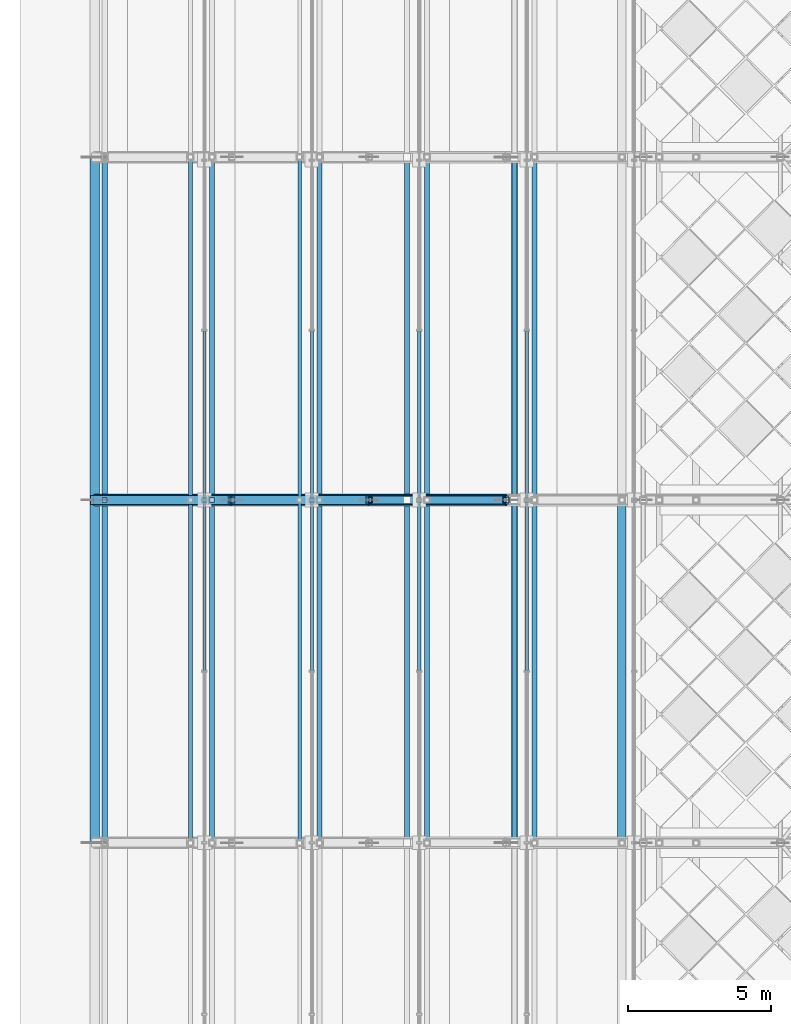
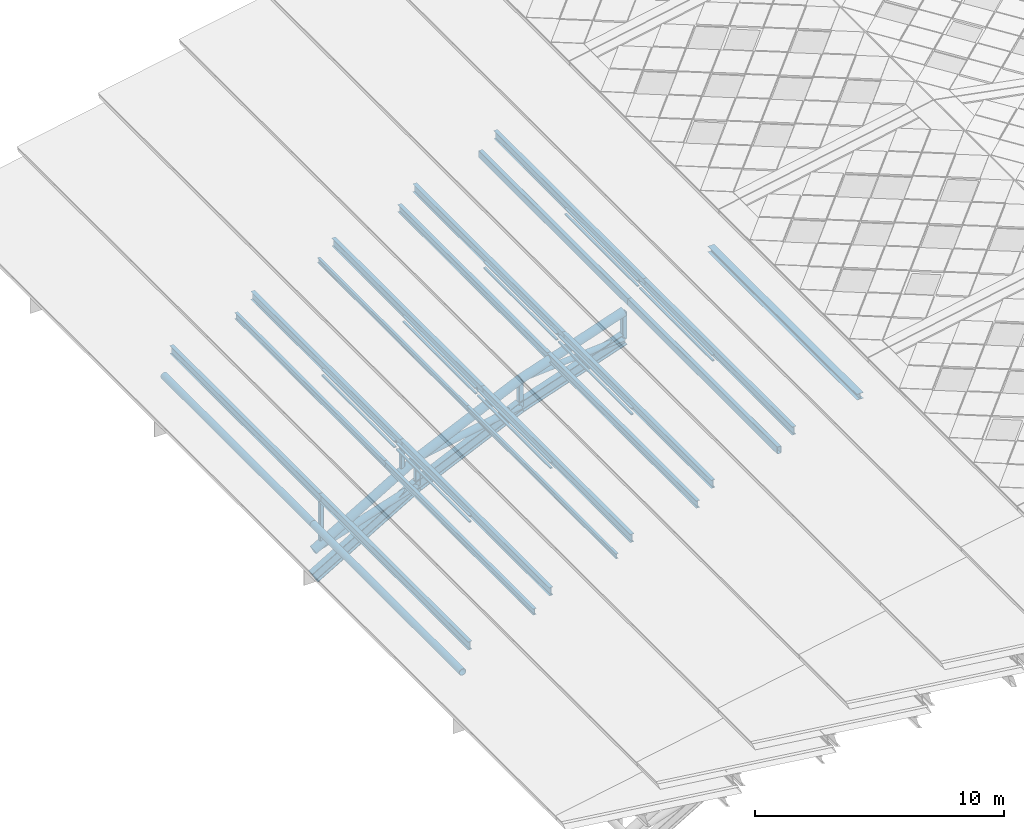
# One storey, part 24 of 117: 49 members, 2 beams, 8 elements without a shape of their own.
"""IFC4 building model written with IfcOpenShell, lengths in metres."""

from ifc_helpers import new_model, si_unit, direction, frame, origin, origin_2d, place, context, subcontext, project, spatial, hollow_rectangle, hollow_circle, i_section, extrude, material, material_profile, profile_set, type_object, element, aggregate, save


model = new_model("IFC4")

# Units and contexts
model_context = context("Model", 3, precision=1e-05, world=origin(), true_north=direction((0.0, 1.0)))
body_context = subcontext(model_context, "Body", "Model", "MODEL_VIEW")
ifc_project = project(units=[si_unit("LENGTHUNIT", "METRE"), si_unit("AREAUNIT", "SQUARE_METRE"), si_unit("VOLUMEUNIT", "CUBIC_METRE"), si_unit("PLANEANGLEUNIT", "RADIAN"), si_unit("MASSUNIT", "GRAM", prefix="KILO")], contexts=[model_context])

# Site, building, storey
site_placement = place(None, origin())
site = spatial("IfcSite", under=ifc_project, at=site_placement, CompositionType="ELEMENT")
building_placement = place(site_placement, origin())
building = spatial("IfcBuilding", under=site, at=building_placement, Name="Merenkruunu Market Hall", CompositionType="ELEMENT")
storey_placement = place(building_placement, frame((0.0, 0.0, 22.800048828125)))
storey = spatial("IfcBuildingStorey", under=building, at=storey_placement, Name="RF", CompositionType="ELEMENT", Elevation=22.800048828125)

# Members
ifc_material_1 = material(Name="Steel S355ML", Category="steel")
ifc_material_profile_1 = material_profile(ifc_material_1, hollow_circle(Radius=0.203125, WallThickness=0.01611328125, at=origin_2d()), Name="CHS 406.4x16")
ifc_profile_set_1 = profile_set([ifc_material_profile_1], Name="Steel S355ML")
member_type_1 = type_object("IfcMemberType", Name="Arch Truss Chord TC02", PredefinedType="CHORD", material=ifc_profile_set_1)
member_1_placement = place(storey_placement, frame((0.0, 87.60009765625, -10.150146484375), z_axis=(0.861115679414, 0.0, 0.508409074139), x_axis=(0.0, 1.0, 0.0)))
element("IfcMember", 1, at=member_1_placement, inside=storey, type_object=member_type_1, Name="TRUSS-AT-7-TOP-01", PredefinedType="CHORD", context=body_context, shape_type="SweptSolid", body=[
    extrude(hollow_circle(Radius=0.203125, WallThickness=0.01611328125, at=origin_2d()), origin(), (0.0, 0.0, 1.0), 5.57421875),
])
member_2_placement = place(storey_placement, frame((4.800048828125, 87.60009765625, -7.316162109375), z_axis=(0.909419998666, 0.0, 0.415878907889), x_axis=(0.0, 1.0, 0.0)))
element("IfcMember", 2, at=member_2_placement, inside=storey, type_object=member_type_1, Name="TRUSS-AT-7-TOP-02", PredefinedType="CHORD", context=body_context, shape_type="SweptSolid", body=[
    extrude(hollow_circle(Radius=0.203125, WallThickness=0.01611328125, at=origin_2d()), origin(), (0.0, 0.0, 1.0), 5.278076171875),
])
member_3_placement = place(storey_placement, frame((9.60009765625, 87.60009765625, -5.12109375), z_axis=(0.946219828174, 0.0, 0.323524399033), x_axis=(0.0, 1.0, 0.0)))
element("IfcMember", 3, at=member_3_placement, inside=storey, type_object=member_type_1, Name="TRUSS-AT-7-TOP-03", PredefinedType="CHORD", context=body_context, shape_type="SweptSolid", body=[
    extrude(hollow_circle(Radius=0.203125, WallThickness=0.01611328125, at=origin_2d()), origin(), (0.0, 0.0, 1.0), 5.072509765625),
])
ifc_material_profile_2 = material_profile(ifc_material_1, i_section(OverallWidth=0.300048828125, OverallDepth=0.550048828125, WebThickness=0.014892578125, FlangeThickness=0.029052734375, FilletRadius=0.027099609375, at=origin_2d()), Name="HEB 550")
ifc_profile_set_2 = profile_set([ifc_material_profile_2], Name="Steel S355ML")
member_type_2 = type_object("IfcMemberType", Name="Arch Truss Chord TC03", PredefinedType="CHORD", material=ifc_profile_set_2)
member_4_placement = place(storey_placement, frame((0.0, 87.60009765625, -11.449951171875), z_axis=(0.861115679414, 0.0, 0.508409074139), x_axis=(0.0, 1.0, 0.0)))
element("IfcMember", 4, at=member_4_placement, inside=storey, type_object=member_type_2, Name="TRUSS-AT-7-BOT-01", PredefinedType="CHORD", context=body_context, shape_type="SweptSolid", body=[
    extrude(i_section(OverallWidth=0.300048828125, OverallDepth=0.550048828125, WebThickness=0.014892578125, FlangeThickness=0.029052734375, FilletRadius=0.027099609375, at=origin_2d()), origin(), (0.0, 0.0, 1.0), 5.57421875),
])
member_5_placement = place(storey_placement, frame((4.800048828125, 87.60009765625, -8.615966796875), z_axis=(0.909437492245, 0.0, 0.415840651812), x_axis=(0.0, 1.0, 0.0)))
element("IfcMember", 5, at=member_5_placement, inside=storey, type_object=member_type_2, Name="TRUSS-AT-7-BOT-02", PredefinedType="CHORD", context=body_context, shape_type="SweptSolid", body=[
    extrude(i_section(OverallWidth=0.300048828125, OverallDepth=0.550048828125, WebThickness=0.014892578125, FlangeThickness=0.029052734375, FilletRadius=0.027099609375, at=origin_2d()), origin(), (0.0, 0.0, 1.0), 5.278076171875),
])
member_6_placement = place(storey_placement, frame((9.60009765625, 87.60009765625, -6.421142578125), z_axis=(0.946219828174, 0.0, 0.323524399033), x_axis=(0.0, 1.0, 0.0)))
element("IfcMember", 6, at=member_6_placement, inside=storey, type_object=member_type_2, Name="TRUSS-AT-7-BOT-03", PredefinedType="CHORD", context=body_context, shape_type="SweptSolid", body=[
    extrude(i_section(OverallWidth=0.300048828125, OverallDepth=0.550048828125, WebThickness=0.014892578125, FlangeThickness=0.029052734375, FilletRadius=0.027099609375, at=origin_2d()), origin(), (0.0, 0.0, 1.0), 5.072509765625),
])

# Curtain wall, members
ifc_material_2 = material(Name="Powder-coated aluminium", Category="aluminium")
curtain_wall_type = type_object("IfcCurtainWallType", Name="Clerestory Curtain Band CL05", PredefinedType="USERDEFINED", material=ifc_material_2)
curtain_wall_1_placement = place(storey_placement, origin())
curtain_wall_1 = element("IfcCurtainWall", 7, at=curtain_wall_1_placement, inside=storey, type_object=curtain_wall_type, Name="CW-RF-CWM04-085", ObjectType="CLERESTORY_BAND", PredefinedType="USERDEFINED")
ifc_material_profile_3 = material_profile(ifc_material_2, hollow_rectangle(XDim=0.06005859375, YDim=0.110107421875, WallThickness=0.00390625, at=origin_2d()), Name="ALU 60x110x4")
ifc_profile_set_3 = profile_set([ifc_material_profile_3], Name="Powder-coated aluminium")
member_type_3 = type_object("IfcMemberType", Name="Curtain Wall Transom CWT03", PredefinedType="USERDEFINED", material=ifc_profile_set_3)
member_7_placement = place(storey_placement, frame((3.840087890625, 81.635009765625, -6.491943359375), z_axis=(0.0, 1.0, 0.0), x_axis=(0.0, 0.0, 1.0)))
member_7 = element("IfcMember", 8, at=member_7_placement, type_object=member_type_3, Name="CL05 transom 4.1", ObjectType="TRANSOM", PredefinedType="USERDEFINED", context=body_context, shape_type="SweptSolid", body=[
    extrude(hollow_rectangle(XDim=0.06005859375, YDim=0.110107421875, WallThickness=0.00390625, at=origin_2d()), origin(), (0.0, 0.0, 1.0), 5.89501953125),
])
member_8_placement = place(storey_placement, frame((3.840087890625, 81.635009765625, -6.2041015625), z_axis=(0.0, 1.0, 0.0), x_axis=(0.0, 0.0, 1.0)))
member_8 = element("IfcMember", 9, at=member_8_placement, type_object=member_type_3, Name="CL05 transom 4.2", ObjectType="TRANSOM", PredefinedType="USERDEFINED", context=body_context, shape_type="SweptSolid", body=[
    extrude(hollow_rectangle(XDim=0.06005859375, YDim=0.110107421875, WallThickness=0.00390625, at=origin_2d()), origin(), (0.0, 0.0, 1.0), 5.89501953125),
])
aggregate(curtain_wall_1, [member_7, member_8])

curtain_wall_2_placement = place(storey_placement, origin())
curtain_wall_2 = element("IfcCurtainWall", 10, at=curtain_wall_2_placement, inside=storey, type_object=curtain_wall_type, Name="CW-RF-CWM04-087", ObjectType="CLERESTORY_BAND", PredefinedType="USERDEFINED")
member_9_placement = place(storey_placement, frame((3.840087890625, 87.669921875, -6.491943359375), z_axis=(0.0, 1.0, 0.0), x_axis=(0.0, 0.0, 1.0)))
member_9 = element("IfcMember", 11, at=member_9_placement, type_object=member_type_3, Name="CL05 transom 1.1", ObjectType="TRANSOM", PredefinedType="USERDEFINED", context=body_context, shape_type="SweptSolid", body=[
    extrude(hollow_rectangle(XDim=0.06005859375, YDim=0.110107421875, WallThickness=0.00390625, at=origin_2d()), origin(), (0.0, 0.0, 1.0), 5.844970703125),
])
member_10_placement = place(storey_placement, frame((3.840087890625, 87.669921875, -6.2041015625), z_axis=(0.0, 1.0, 0.0), x_axis=(0.0, 0.0, 1.0)))
member_10 = element("IfcMember", 12, at=member_10_placement, type_object=member_type_3, Name="CL05 transom 1.2", ObjectType="TRANSOM", PredefinedType="USERDEFINED", context=body_context, shape_type="SweptSolid", body=[
    extrude(hollow_rectangle(XDim=0.06005859375, YDim=0.110107421875, WallThickness=0.00390625, at=origin_2d()), origin(), (0.0, 0.0, 1.0), 5.844970703125),
])
aggregate(curtain_wall_2, [member_9, member_10])

curtain_wall_3_placement = place(storey_placement, origin())
curtain_wall_3 = element("IfcCurtainWall", 13, at=curtain_wall_3_placement, inside=storey, type_object=curtain_wall_type, Name="CW-RF-CWM04-093", ObjectType="CLERESTORY_BAND", PredefinedType="USERDEFINED")
member_11_placement = place(storey_placement, frame((7.60009765625, 81.635009765625, -5.172119140625), z_axis=(0.0, 1.0, 0.0), x_axis=(0.0, 0.0, 1.0)))
member_11 = element("IfcMember", 14, at=member_11_placement, type_object=member_type_3, Name="CL05 transom 4.1", ObjectType="TRANSOM", PredefinedType="USERDEFINED", context=body_context, shape_type="SweptSolid", body=[
    extrude(hollow_rectangle(XDim=0.06005859375, YDim=0.110107421875, WallThickness=0.00390625, at=origin_2d()), origin(), (0.0, 0.0, 1.0), 5.89501953125),
])
member_12_placement = place(storey_placement, frame((7.60009765625, 81.635009765625, -4.905029296875), z_axis=(0.0, 1.0, 0.0), x_axis=(0.0, 0.0, 1.0)))
member_12 = element("IfcMember", 15, at=member_12_placement, type_object=member_type_3, Name="CL05 transom 4.2", ObjectType="TRANSOM", PredefinedType="USERDEFINED", context=body_context, shape_type="SweptSolid", body=[
    extrude(hollow_rectangle(XDim=0.06005859375, YDim=0.110107421875, WallThickness=0.00390625, at=origin_2d()), origin(), (0.0, 0.0, 1.0), 5.89501953125),
])
aggregate(curtain_wall_3, [member_11, member_12])

curtain_wall_4_placement = place(storey_placement, origin())
curtain_wall_4 = element("IfcCurtainWall", 16, at=curtain_wall_4_placement, inside=storey, type_object=curtain_wall_type, Name="CW-RF-CWM04-095", ObjectType="CLERESTORY_BAND", PredefinedType="USERDEFINED")
member_13_placement = place(storey_placement, frame((7.60009765625, 87.669921875, -5.172119140625), z_axis=(0.0, 1.0, 0.0), x_axis=(0.0, 0.0, 1.0)))
member_13 = element("IfcMember", 17, at=member_13_placement, type_object=member_type_3, Name="CL05 transom 1.1", ObjectType="TRANSOM", PredefinedType="USERDEFINED", context=body_context, shape_type="SweptSolid", body=[
    extrude(hollow_rectangle(XDim=0.06005859375, YDim=0.110107421875, WallThickness=0.00390625, at=origin_2d()), origin(), (0.0, 0.0, 1.0), 5.844970703125),
])
member_14_placement = place(storey_placement, frame((7.60009765625, 87.669921875, -4.905029296875), z_axis=(0.0, 1.0, 0.0), x_axis=(0.0, 0.0, 1.0)))
member_14 = element("IfcMember", 18, at=member_14_placement, type_object=member_type_3, Name="CL05 transom 1.2", ObjectType="TRANSOM", PredefinedType="USERDEFINED", context=body_context, shape_type="SweptSolid", body=[
    extrude(hollow_rectangle(XDim=0.06005859375, YDim=0.110107421875, WallThickness=0.00390625, at=origin_2d()), origin(), (0.0, 0.0, 1.0), 5.844970703125),
])
aggregate(curtain_wall_4, [member_13, member_14])

curtain_wall_5_placement = place(storey_placement, origin())
curtain_wall_5 = element("IfcCurtainWall", 19, at=curtain_wall_5_placement, inside=storey, type_object=curtain_wall_type, Name="CW-RF-CWM04-101", ObjectType="CLERESTORY_BAND", PredefinedType="USERDEFINED")
member_15_placement = place(storey_placement, frame((11.360107421875, 81.635009765625, -3.85205078125), z_axis=(0.0, 1.0, 0.0), x_axis=(0.0, 0.0, 1.0)))
member_15 = element("IfcMember", 20, at=member_15_placement, type_object=member_type_3, Name="CL05 transom 4.1", ObjectType="TRANSOM", PredefinedType="USERDEFINED", context=body_context, shape_type="SweptSolid", body=[
    extrude(hollow_rectangle(XDim=0.06005859375, YDim=0.110107421875, WallThickness=0.00390625, at=origin_2d()), origin(), (0.0, 0.0, 1.0), 5.89501953125),
])
member_16_placement = place(storey_placement, frame((11.360107421875, 81.635009765625, -3.56396484375), z_axis=(0.0, 1.0, 0.0), x_axis=(0.0, 0.0, 1.0)))
member_16 = element("IfcMember", 21, at=member_16_placement, type_object=member_type_3, Name="CL05 transom 4.2", ObjectType="TRANSOM", PredefinedType="USERDEFINED", context=body_context, shape_type="SweptSolid", body=[
    extrude(hollow_rectangle(XDim=0.06005859375, YDim=0.110107421875, WallThickness=0.00390625, at=origin_2d()), origin(), (0.0, 0.0, 1.0), 5.89501953125),
])
aggregate(curtain_wall_5, [member_15, member_16])

curtain_wall_6_placement = place(storey_placement, origin())
curtain_wall_6 = element("IfcCurtainWall", 22, at=curtain_wall_6_placement, inside=storey, type_object=curtain_wall_type, Name="CW-RF-CWM04-103", ObjectType="CLERESTORY_BAND", PredefinedType="USERDEFINED")
member_17_placement = place(storey_placement, frame((11.360107421875, 87.669921875, -3.85205078125), z_axis=(0.0, 1.0, 0.0), x_axis=(0.0, 0.0, 1.0)))
member_17 = element("IfcMember", 23, at=member_17_placement, type_object=member_type_3, Name="CL05 transom 1.1", ObjectType="TRANSOM", PredefinedType="USERDEFINED", context=body_context, shape_type="SweptSolid", body=[
    extrude(hollow_rectangle(XDim=0.06005859375, YDim=0.110107421875, WallThickness=0.00390625, at=origin_2d()), origin(), (0.0, 0.0, 1.0), 5.844970703125),
])
member_18_placement = place(storey_placement, frame((11.360107421875, 87.669921875, -3.56396484375), z_axis=(0.0, 1.0, 0.0), x_axis=(0.0, 0.0, 1.0)))
member_18 = element("IfcMember", 24, at=member_18_placement, type_object=member_type_3, Name="CL05 transom 1.2", ObjectType="TRANSOM", PredefinedType="USERDEFINED", context=body_context, shape_type="SweptSolid", body=[
    extrude(hollow_rectangle(XDim=0.06005859375, YDim=0.110107421875, WallThickness=0.00390625, at=origin_2d()), origin(), (0.0, 0.0, 1.0), 5.844970703125),
])
aggregate(curtain_wall_6, [member_17, member_18])

curtain_wall_7_placement = place(storey_placement, origin())
curtain_wall_7 = element("IfcCurtainWall", 25, at=curtain_wall_7_placement, inside=storey, type_object=curtain_wall_type, Name="CW-RF-CWM04-109", ObjectType="CLERESTORY_BAND", PredefinedType="USERDEFINED")
member_19_placement = place(storey_placement, frame((15.1201171875, 81.635009765625, -2.531982421875), z_axis=(0.0, 1.0, 0.0), x_axis=(0.0, 0.0, 1.0)))
member_19 = element("IfcMember", 26, at=member_19_placement, type_object=member_type_3, Name="CL05 transom 4.1", ObjectType="TRANSOM", PredefinedType="USERDEFINED", context=body_context, shape_type="SweptSolid", body=[
    extrude(hollow_rectangle(XDim=0.06005859375, YDim=0.110107421875, WallThickness=0.00390625, at=origin_2d()), origin(), (0.0, 0.0, 1.0), 5.89501953125),
])
member_20_placement = place(storey_placement, frame((15.1201171875, 81.635009765625, -2.26513671875), z_axis=(0.0, 1.0, 0.0), x_axis=(0.0, 0.0, 1.0)))
member_20 = element("IfcMember", 27, at=member_20_placement, type_object=member_type_3, Name="CL05 transom 4.2", ObjectType="TRANSOM", PredefinedType="USERDEFINED", context=body_context, shape_type="SweptSolid", body=[
    extrude(hollow_rectangle(XDim=0.06005859375, YDim=0.110107421875, WallThickness=0.00390625, at=origin_2d()), origin(), (0.0, 0.0, 1.0), 5.89501953125),
])
aggregate(curtain_wall_7, [member_19, member_20])

curtain_wall_8_placement = place(storey_placement, origin())
curtain_wall_8 = element("IfcCurtainWall", 28, at=curtain_wall_8_placement, inside=storey, type_object=curtain_wall_type, Name="CW-RF-CWM04-111", ObjectType="CLERESTORY_BAND", PredefinedType="USERDEFINED")
member_21_placement = place(storey_placement, frame((15.1201171875, 87.669921875, -2.531982421875), z_axis=(0.0, 1.0, 0.0), x_axis=(0.0, 0.0, 1.0)))
member_21 = element("IfcMember", 29, at=member_21_placement, type_object=member_type_3, Name="CL05 transom 1.1", ObjectType="TRANSOM", PredefinedType="USERDEFINED", context=body_context, shape_type="SweptSolid", body=[
    extrude(hollow_rectangle(XDim=0.06005859375, YDim=0.110107421875, WallThickness=0.00390625, at=origin_2d()), origin(), (0.0, 0.0, 1.0), 5.844970703125),
])
member_22_placement = place(storey_placement, frame((15.1201171875, 87.669921875, -2.26513671875), z_axis=(0.0, 1.0, 0.0), x_axis=(0.0, 0.0, 1.0)))
member_22 = element("IfcMember", 30, at=member_22_placement, type_object=member_type_3, Name="CL05 transom 1.2", ObjectType="TRANSOM", PredefinedType="USERDEFINED", context=body_context, shape_type="SweptSolid", body=[
    extrude(hollow_rectangle(XDim=0.06005859375, YDim=0.110107421875, WallThickness=0.00390625, at=origin_2d()), origin(), (0.0, 0.0, 1.0), 5.844970703125),
])
aggregate(curtain_wall_8, [member_21, member_22])

# Members
ifc_material_profile_4 = material_profile(ifc_material_1, hollow_circle(Radius=0.161865234375, WallThickness=0.01611328125, at=origin_2d()), Name="CHS 323.9x16")
ifc_profile_set_4 = profile_set([ifc_material_profile_4], Name="Steel S355ML")
member_type_4 = type_object("IfcMemberType", Name="Diagonal Sway Brace BR01", PredefinedType="BRACE", material=ifc_profile_set_4)
member_23_placement = place(storey_placement, frame((0.0, 87.60009765625, -10.150146484375), z_axis=(0.95252984503, 0.0, 0.304445223853), x_axis=(0.0, 1.0, 0.0)))
element("IfcMember", 31, at=member_23_placement, inside=storey, type_object=member_type_4, Name="TRUSS-AT-7-DIAG-01", PredefinedType="BRACE", context=body_context, shape_type="SweptSolid", body=[
    extrude(hollow_circle(Radius=0.161865234375, WallThickness=0.01611328125, at=origin_2d()), origin(), (0.0, 0.0, 1.0), 5.039306640625),
])
member_24_placement = place(storey_placement, frame((4.800048828125, 87.60009765625, -7.316162109375), z_axis=(0.983056786802, 0.0, 0.18330126547), x_axis=(0.0, 1.0, 0.0)))
element("IfcMember", 32, at=member_24_placement, inside=storey, type_object=member_type_4, Name="TRUSS-AT-7-DIAG-02", PredefinedType="BRACE", context=body_context, shape_type="SweptSolid", body=[
    extrude(hollow_circle(Radius=0.161865234375, WallThickness=0.01611328125, at=origin_2d()), origin(), (0.0, 0.0, 1.0), 4.8828125),
])
ifc_material_profile_5 = material_profile(ifc_material_1, hollow_circle(Radius=0.136474609375, WallThickness=0.012451171875, at=origin_2d()), Name="CHS 273x12.5")
ifc_profile_set_5 = profile_set([ifc_material_profile_5], Name="Steel S355ML")
member_type_5 = type_object("IfcMemberType", Name="Diagonal Sway Brace BR02", PredefinedType="BRACE", material=ifc_profile_set_5)
member_25_placement = place(storey_placement, frame((9.60009765625, 87.60009765625, -5.12109375), z_axis=(0.997484901828, 0.0, 0.070879267948), x_axis=(0.0, 1.0, 0.0)))
element("IfcMember", 33, at=member_25_placement, inside=storey, type_object=member_type_5, Name="TRUSS-AT-7-DIAG-03", PredefinedType="BRACE", context=body_context, shape_type="SweptSolid", body=[
    extrude(hollow_circle(Radius=0.136474609375, WallThickness=0.012451171875, at=origin_2d()), origin(), (0.0, 0.0, 1.0), 4.81201171875),
])
ifc_material_3 = material(Name="Steel S355J2", Category="steel")
ifc_material_profile_6 = material_profile(ifc_material_3, hollow_rectangle(XDim=0.219970703125, YDim=0.219970703125, WallThickness=0.012451171875, InnerFilletRadius=0.012451171875, OuterFilletRadius=0.02490234375, at=origin_2d()), Name="SHS 220x220x12.5")
ifc_profile_set_6 = profile_set([ifc_material_profile_6], Name="Steel S355J2")
member_type_6 = type_object("IfcMemberType", Name="Diagonal Sway Brace BR04", PredefinedType="BRACE", material=ifc_profile_set_6)
member_26_placement = place(storey_placement, frame((4.800048828125, 87.60009765625, -8.615966796875), z_axis=(0.0, 0.0, 1.0), x_axis=(1.0, 0.0, 0.0)))
element("IfcMember", 34, at=member_26_placement, inside=storey, type_object=member_type_6, Name="TRUSS-AT-7-POST-01", PredefinedType="BRACE", context=body_context, shape_type="SweptSolid", body=[
    extrude(hollow_rectangle(XDim=0.219970703125, YDim=0.219970703125, WallThickness=0.012451171875, InnerFilletRadius=0.012451171875, OuterFilletRadius=0.02490234375, at=origin_2d()), origin(), (0.0, 0.0, 1.0), 1.2998046875),
])
for number, where, z_axis, x_axis, name in (
    (35, (9.60009765625, 87.60009765625, -6.421142578125), (0.0, 0.0, 1.0), (1.0, 0.0, 0.0), "TRUSS-AT-7-POST-02"),
    (36, (14.39990234375, 87.60009765625, -4.780029296875), (0.0, 0.0, 1.0), (1.0, 0.0, 0.0), "TRUSS-AT-7-POST-03"),
):
    element("IfcMember", number, at=place(storey_placement, frame(where, z_axis=z_axis, x_axis=x_axis)), inside=storey, type_object=member_type_6, Name=name, PredefinedType="BRACE", context=body_context, shape_type="SweptSolid", body=[
        extrude(hollow_rectangle(XDim=0.219970703125, YDim=0.219970703125, WallThickness=0.012451171875, InnerFilletRadius=0.012451171875, OuterFilletRadius=0.02490234375, at=origin_2d()), origin(), (0.0, 0.0, 1.0), 1.300048828125),
    ])
ifc_material_profile_7 = material_profile(ifc_material_3, hollow_rectangle(XDim=0.179931640625, YDim=0.179931640625, WallThickness=0.010009765625, InnerFilletRadius=0.010009765625, OuterFilletRadius=0.02001953125, at=origin_2d()), Name="SHS 180x180x10")
ifc_profile_set_7 = profile_set([ifc_material_profile_7], Name="Steel S355J2")
member_type_7 = type_object("IfcMemberType", Name="Diagonal Sway Brace BR05", PredefinedType="BRACE", material=ifc_profile_set_7)
member_27_placement = place(storey_placement, frame((0.35009765625, 87.60009765625, -9.751953125), z_axis=(0.0, 0.0, 1.0), x_axis=(1.0, 0.0, 0.0)))
element("IfcMember", 37, at=member_27_placement, inside=storey, type_object=member_type_7, Name="TRUSS-AT-7-RISER-W1-1", PredefinedType="BRACE", context=body_context, shape_type="SweptSolid", body=[
    extrude(hollow_rectangle(XDim=0.179931640625, YDim=0.179931640625, WallThickness=0.010009765625, InnerFilletRadius=0.010009765625, OuterFilletRadius=0.02001953125, at=origin_2d()), origin(), (0.0, 0.0, 1.0), 1.853515625),
])
member_28_placement = place(storey_placement, frame((4.110107421875, 87.60009765625, -7.53173828125), z_axis=(0.0, 0.0, 1.0), x_axis=(1.0, 0.0, 0.0)))
element("IfcMember", 38, at=member_28_placement, inside=storey, type_object=member_type_7, Name="TRUSS-AT-7-RISER-W2-1", PredefinedType="BRACE", context=body_context, shape_type="SweptSolid", body=[
    extrude(hollow_rectangle(XDim=0.179931640625, YDim=0.179931640625, WallThickness=0.010009765625, InnerFilletRadius=0.010009765625, OuterFilletRadius=0.02001953125, at=origin_2d()), origin(), (0.0, 0.0, 1.0), 0.9736328125),
])

# Beams
ifc_material_profile_8 = material_profile(ifc_material_1, hollow_circle(Radius=0.161865234375, WallThickness=0.01611328125, at=origin_2d()), Name="CHS 323.9x16")
ifc_profile_set_8 = profile_set([ifc_material_profile_8], Name="Steel S355ML")
beam_type = type_object("IfcBeamType", Name="Perimeter Spandrel Beam SP05", PredefinedType="SPANDREL", material=ifc_profile_set_8)
for number, where, z_axis, x_axis, name in (
    (39, (0.0, 75.60009765625, -8.862060546875), (0.0, 1.0, 0.0), (-1.0, 0.0, 0.0), "BM-RF-SP05-1284"),
    (40, (0.0, 87.60009765625, -8.862060546875), (0.0, 1.0, 0.0), (-1.0, 0.0, 0.0), "BM-RF-SP05-1288"),
):
    element("IfcBeam", number, at=place(storey_placement, frame(where, z_axis=z_axis, x_axis=x_axis)), inside=storey, type_object=beam_type, Name=name, PredefinedType="SPANDREL", context=body_context, shape_type="SweptSolid", body=[
        extrude(hollow_circle(Radius=0.161865234375, WallThickness=0.01611328125, at=origin_2d()), origin(), (0.0, 0.0, 1.0), 12.0),
    ])

# Members
ifc_material_profile_9 = material_profile(ifc_material_1, i_section(OverallWidth=0.14990234375, OverallDepth=0.300048828125, WebThickness=0.007080078125, FlangeThickness=0.0107421875, FilletRadius=0.014892578125, at=origin_2d()), Name="IPE 300")
ifc_profile_set_9 = profile_set([ifc_material_profile_9], Name="Steel S355ML")
member_type_8 = type_object("IfcMemberType", Name="Roof Purlin Rafter PR01", PredefinedType="PURLIN", material=ifc_profile_set_9)
for number, where, z_axis, x_axis, name in (
    (41, (3.35009765625, 75.60009765625, -7.071533203125), (0.0, 1.0, 0.0), (-1.0, 0.0, 0.0), "MEM-RF-PURL-W-027"),
    (42, (3.35009765625, 87.60009765625, -7.071533203125), (0.0, 1.0, 0.0), (-1.0, 0.0, 0.0), "MEM-RF-PURL-W-029"),
):
    element("IfcMember", number, at=place(storey_placement, frame(where, z_axis=z_axis, x_axis=x_axis)), inside=storey, type_object=member_type_8, Name=name, PredefinedType="PURLIN", context=body_context, shape_type="SweptSolid", body=[
        extrude(i_section(OverallWidth=0.14990234375, OverallDepth=0.300048828125, WebThickness=0.007080078125, FlangeThickness=0.0107421875, FilletRadius=0.014892578125, at=origin_2d()), origin(), (0.0, 0.0, 1.0), 12.0),
    ])
ifc_material_profile_10 = material_profile(ifc_material_1, i_section(OverallWidth=0.1201171875, OverallDepth=0.239990234375, WebThickness=0.006103515625, FlangeThickness=0.009765625, FilletRadius=0.014892578125, at=origin_2d()), Name="IPE 240")
ifc_profile_set_10 = profile_set([ifc_material_profile_10], Name="Steel S355ML")
member_type_9 = type_object("IfcMemberType", Name="Roof Purlin Rafter PR02", PredefinedType="PURLIN", material=ifc_profile_set_10)
for number, where, z_axis, x_axis, name in (
    (43, (7.169921875, 75.60009765625, -5.687255859375), (0.0, 1.0, 0.0), (-1.0, 0.0, 0.0), "MEM-RF-PURL-W-059"),
    (44, (7.169921875, 87.60009765625, -5.687255859375), (0.0, 1.0, 0.0), (-1.0, 0.0, 0.0), "MEM-RF-PURL-W-061"),
):
    element("IfcMember", number, at=place(storey_placement, frame(where, z_axis=z_axis, x_axis=x_axis)), inside=storey, type_object=member_type_9, Name=name, PredefinedType="PURLIN", context=body_context, shape_type="SweptSolid", body=[
        extrude(i_section(OverallWidth=0.1201171875, OverallDepth=0.239990234375, WebThickness=0.006103515625, FlangeThickness=0.009765625, FilletRadius=0.014892578125, at=origin_2d()), origin(), (0.0, 0.0, 1.0), 12.0),
    ])
ifc_material_profile_11 = material_profile(ifc_material_1, i_section(OverallWidth=0.169921875, OverallDepth=0.360107421875, WebThickness=0.008056640625, FlangeThickness=0.0126953125, FilletRadius=0.01806640625, at=origin_2d()), Name="IPE 360")
ifc_profile_set_11 = profile_set([ifc_material_profile_11], Name="Steel S355ML")
member_type_10 = type_object("IfcMemberType", Name="Roof Purlin Rafter PR03", PredefinedType="PURLIN", material=ifc_profile_set_11)
for number, where, z_axis, x_axis, name in (
    (45, (10.929931640625, 75.60009765625, -4.452392578125), (0.0, 1.0, 0.0), (-1.0, 0.0, 0.0), "MEM-RF-PURL-W-091"),
    (46, (10.929931640625, 87.60009765625, -4.452392578125), (0.0, 1.0, 0.0), (-1.0, 0.0, 0.0), "MEM-RF-PURL-W-093"),
):
    element("IfcMember", number, at=place(storey_placement, frame(where, z_axis=z_axis, x_axis=x_axis)), inside=storey, type_object=member_type_10, Name=name, PredefinedType="PURLIN", context=body_context, shape_type="SweptSolid", body=[
        extrude(i_section(OverallWidth=0.169921875, OverallDepth=0.360107421875, WebThickness=0.008056640625, FlangeThickness=0.0126953125, FilletRadius=0.01806640625, at=origin_2d()), origin(), (0.0, 0.0, 1.0), 12.0),
    ])
ifc_material_profile_12 = material_profile(ifc_material_1, hollow_rectangle(XDim=0.199951171875, YDim=0.35009765625, WallThickness=0.012451171875, InnerFilletRadius=0.012451171875, OuterFilletRadius=0.02490234375, at=origin_2d()), Name="RHS 350x200x12.5")
ifc_profile_set_12 = profile_set([ifc_material_profile_12], Name="Steel S355ML")
member_type_11 = type_object("IfcMemberType", Name="Roof Purlin Rafter PR06", PredefinedType="PURLIN", material=ifc_profile_set_12)
for number, where, z_axis, x_axis, name in (
    (47, (14.68994140625, 75.60009765625, -3.10986328125), (0.0, 1.0, 0.0), (-1.0, 0.0, 0.0), "MEM-RF-PURL-W-123"),
    (48, (14.68994140625, 87.60009765625, -3.10986328125), (0.0, 1.0, 0.0), (-1.0, 0.0, 0.0), "MEM-RF-PURL-W-125"),
):
    element("IfcMember", number, at=place(storey_placement, frame(where, z_axis=z_axis, x_axis=x_axis)), inside=storey, type_object=member_type_11, Name=name, PredefinedType="PURLIN", context=body_context, shape_type="SweptSolid", body=[
        extrude(hollow_rectangle(XDim=0.199951171875, YDim=0.35009765625, WallThickness=0.012451171875, InnerFilletRadius=0.012451171875, OuterFilletRadius=0.02490234375, at=origin_2d()), origin(), (0.0, 0.0, 1.0), 12.0),
    ])
ifc_material_profile_13 = material_profile(ifc_material_1, i_section(OverallWidth=0.300048828125, OverallDepth=0.2900390625, WebThickness=0.008544921875, FlangeThickness=0.013916015625, FilletRadius=0.027099609375, at=origin_2d()), Name="HEA 300")
ifc_profile_set_13 = profile_set([ifc_material_profile_13], Name="Steel S355ML")
member_type_12 = type_object("IfcMemberType", Name="Roof Purlin Rafter PR07", PredefinedType="PURLIN", material=ifc_profile_set_13)
member_29_placement = place(storey_placement, frame((18.449951171875, 75.60009765625, -1.789306640625), z_axis=(0.0, 1.0, 0.0), x_axis=(-1.0, 0.0, 0.0)))
element("IfcMember", 49, at=member_29_placement, inside=storey, type_object=member_type_12, Name="MEM-RF-PURL-W-155", PredefinedType="PURLIN", context=body_context, shape_type="SweptSolid", body=[
    extrude(i_section(OverallWidth=0.300048828125, OverallDepth=0.2900390625, WebThickness=0.008544921875, FlangeThickness=0.013916015625, FilletRadius=0.027099609375, at=origin_2d()), origin(), (0.0, 0.0, 1.0), 12.0),
])
ifc_material_profile_14 = material_profile(ifc_material_1, i_section(OverallWidth=0.179931640625, OverallDepth=0.39990234375, WebThickness=0.008544921875, FlangeThickness=0.013427734375, FilletRadius=0.02099609375, at=origin_2d()), Name="IPE 400")
ifc_profile_set_14 = profile_set([ifc_material_profile_14], Name="Steel S355ML")
member_type_13 = type_object("IfcMemberType", Name="Roof Purlin Rafter PR09", PredefinedType="PURLIN", material=ifc_profile_set_14)
for number, where, z_axis, x_axis, name in (
    (50, (0.35009765625, 75.60009765625, -7.680419921875), (0.0, 1.0, 0.0), (-1.0, 0.0, 0.0), "MEM-RF-PURL-W-011"),
    (51, (0.35009765625, 87.60009765625, -7.680419921875), (0.0, 1.0, 0.0), (-1.0, 0.0, 0.0), "MEM-RF-PURL-W-013"),
    (52, (4.110107421875, 75.60009765625, -6.340087890625), (0.0, 1.0, 0.0), (-1.0, 0.0, 0.0), "MEM-RF-PURL-W-043"),
    (53, (4.110107421875, 87.60009765625, -6.340087890625), (0.0, 1.0, 0.0), (-1.0, 0.0, 0.0), "MEM-RF-PURL-W-045"),
    (54, (7.8701171875, 75.60009765625, -5.040283203125), (0.0, 1.0, 0.0), (-1.0, 0.0, 0.0), "MEM-RF-PURL-W-075"),
    (55, (7.8701171875, 87.60009765625, -5.040283203125), (0.0, 1.0, 0.0), (-1.0, 0.0, 0.0), "MEM-RF-PURL-W-077"),
    (56, (11.6298828125, 75.60009765625, -3.699951171875), (0.0, 1.0, 0.0), (-1.0, 0.0, 0.0), "MEM-RF-PURL-W-107"),
    (57, (11.6298828125, 87.60009765625, -3.699951171875), (0.0, 1.0, 0.0), (-1.0, 0.0, 0.0), "MEM-RF-PURL-W-109"),
    (58, (15.389892578125, 75.60009765625, -2.400390625), (0.0, 1.0, 0.0), (-1.0, 0.0, 0.0), "MEM-RF-PURL-W-139"),
    (59, (15.389892578125, 87.60009765625, -2.400390625), (0.0, 1.0, 0.0), (-1.0, 0.0, 0.0), "MEM-RF-PURL-W-141"),
):
    element("IfcMember", number, at=place(storey_placement, frame(where, z_axis=z_axis, x_axis=x_axis)), inside=storey, type_object=member_type_13, Name=name, PredefinedType="PURLIN", context=body_context, shape_type="SweptSolid", body=[
        extrude(i_section(OverallWidth=0.179931640625, OverallDepth=0.39990234375, WebThickness=0.008544921875, FlangeThickness=0.013427734375, FilletRadius=0.02099609375, at=origin_2d()), origin(), (0.0, 0.0, 1.0), 12.0),
    ])

save(model, "model.ifc")
